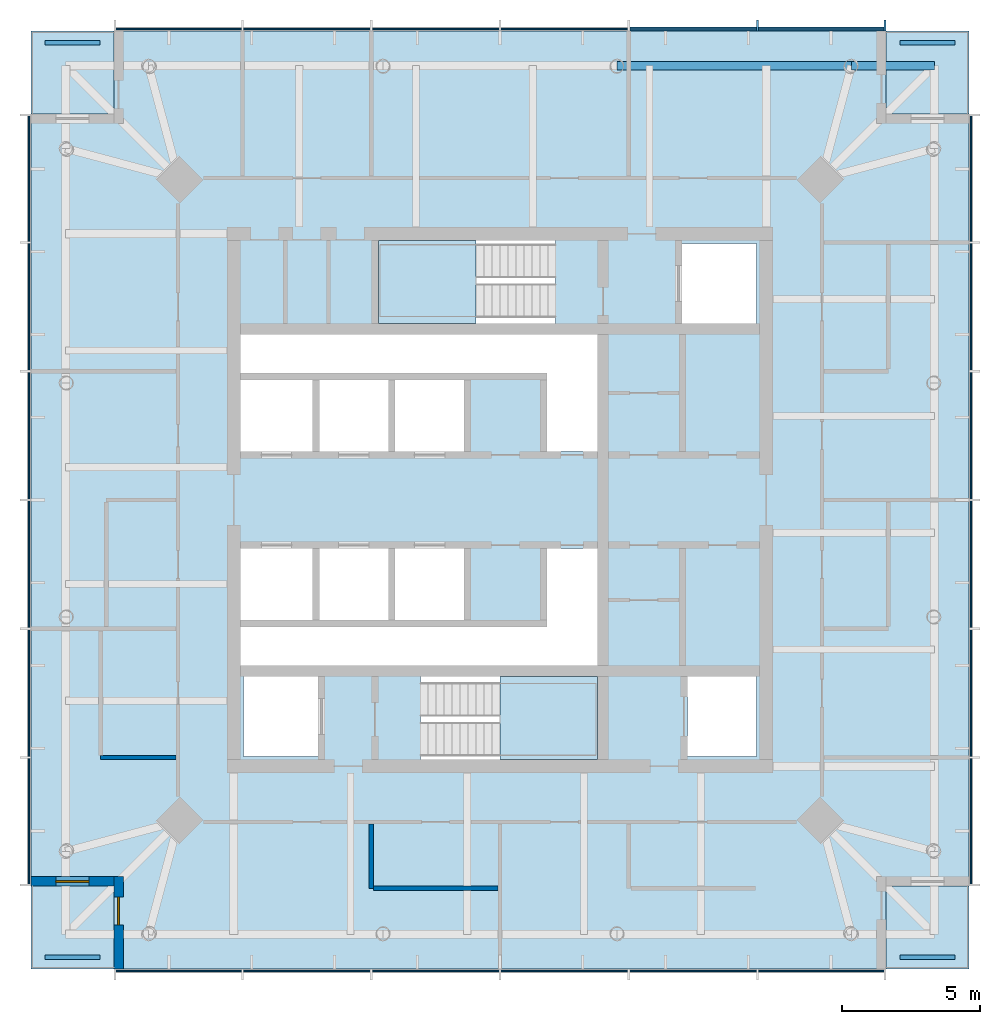
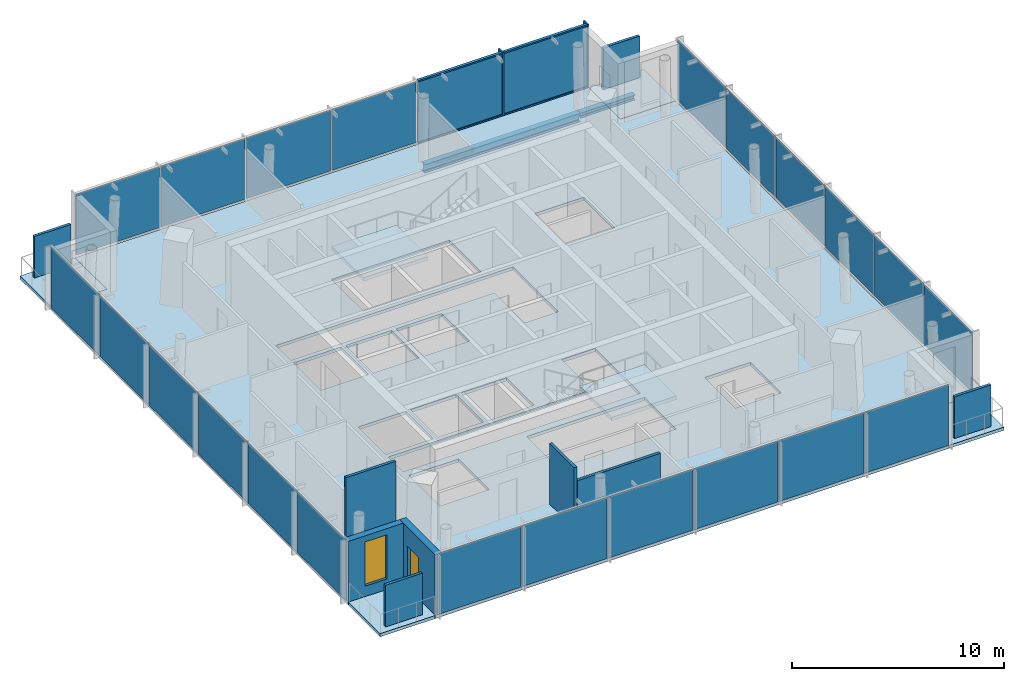
# One storey, part 3 of 7: 28 plates, 7 slabs, 6 members, 5 walls, 2 beams, 1 door, 1 window, 2 openings, 6 elements without a shape of their own.
"""IFC4 building model written with IfcOpenShell, lengths in metres."""

from ifc_helpers import new_model, si_unit, direction, frame, frame_2d, origin, origin_2d, place, context, subcontext, project, spatial, polyline, rectangle, i_section, outline, extrude, material, layer, layer_set, material_profile, profile_set, type_object, element, fill, aggregate, save


model = new_model("IFC4")

# Units and contexts
model_context = context("Model", 3, precision=1e-05, world=origin(), true_north=direction((0.0, 1.0)))
body_context = subcontext(model_context, "Body", "Model", "MODEL_VIEW")
ifc_project = project(units=[si_unit("LENGTHUNIT", "METRE"), si_unit("AREAUNIT", "SQUARE_METRE"), si_unit("VOLUMEUNIT", "CUBIC_METRE"), si_unit("PLANEANGLEUNIT", "RADIAN"), si_unit("MASSUNIT", "GRAM", prefix="KILO")], contexts=[model_context])

# Site, building, storey
site_placement = place(None, origin())
site = spatial("IfcSite", under=ifc_project, at=site_placement, CompositionType="ELEMENT")
building_placement = place(site_placement, origin())
building = spatial("IfcBuilding", under=site, at=building_placement, Name="Ostroluk Exchange", CompositionType="ELEMENT")
storey_placement = place(building_placement, frame((0.0, 0.0, 279.39990234375)))
storey = spatial("IfcBuildingStorey", under=building, at=storey_placement, Name="L72", CompositionType="ELEMENT", Elevation=279.39990234375)

# Beams
ifc_material_1 = material(Name="Steel S355", Category="steel")
ifc_material_profile_1 = material_profile(ifc_material_1, i_section(OverallWidth=0.300048828125, OverallDepth=0.300048828125, WebThickness=0.010986328125, FlangeThickness=0.01904296875, FilletRadius=0.027099609375, at=origin_2d()), Name="HEB 300")
ifc_profile_set_1 = profile_set([ifc_material_profile_1], Name="Steel S355")
beam_type_1 = type_object("IfcBeamType", Name="Balcony beam HEB 300", PredefinedType="BEAM", material=ifc_profile_set_1)
beam_1_placement = place(storey_placement, frame((57.742919921875, 61.742919921875, -0.329833984375), z_axis=(1.0, 0.0, 0.0), x_axis=(0.0, 1.0, 0.0)))
element("IfcBeam", 1, at=beam_1_placement, inside=storey, type_object=beam_type_1, Name="T1 east balcony beam b", PredefinedType="BEAM", context=body_context, shape_type="SweptSolid", body=[
    extrude(i_section(OverallWidth=0.300048828125, OverallDepth=0.300048828125, WebThickness=0.010986328125, FlangeThickness=0.01904296875, FilletRadius=0.027099609375, at=origin_2d()), origin(), (0.0, 0.0, 1.0), 3.0),
])
ifc_material_2 = material(Name="Steel S355", Category="steel")
ifc_material_profile_2 = material_profile(ifc_material_2, i_section(OverallWidth=0.300048828125, OverallDepth=0.5, WebThickness=0.014404296875, FlangeThickness=0.028076171875, FilletRadius=0.027099609375, at=origin_2d()), Name="HEB 500")
ifc_profile_set_2 = profile_set([ifc_material_profile_2], Name="Steel S355")
beam_type_2 = type_object("IfcBeamType", Name="Moment-connected edge beam HEB 500", PredefinedType="SPANDREL", material=ifc_profile_set_2)
beam_2_placement = place(storey_placement, frame((57.742919921875, 61.742919921875, -0.429931640625), z_axis=(-1.0, 0.0, 0.0), x_axis=(0.0, -1.0, 0.0)))
element("IfcBeam", 2, at=beam_2_placement, inside=storey, type_object=beam_type_2, Name="T1 north edge beam 1", PredefinedType="SPANDREL", context=body_context, shape_type="SweptSolid", body=[
    extrude(i_section(OverallWidth=0.300048828125, OverallDepth=0.5, WebThickness=0.014404296875, FlangeThickness=0.028076171875, FilletRadius=0.027099609375, at=origin_2d()), origin(), (0.0, 0.0, 1.0), 8.495361328125),
])

# Curtain wall, members
ifc_material_3 = material(Name="Laminated clear glass", Category="glass")
curtain_wall_type = type_object("IfcCurtainWallType", Name="Office tower facade", PredefinedType="USERDEFINED", material=ifc_material_3)
curtain_wall_1_placement = place(storey_placement, origin())
curtain_wall_1 = element("IfcCurtainWall", 3, at=curtain_wall_1_placement, inside=storey, type_object=curtain_wall_type, Name="Office tower north facade L72", ObjectType="UNITISED CURTAIN WALL", PredefinedType="USERDEFINED")
ifc_material_4 = material(Name="Aluminium mullion", Category="aluminium")
ifc_material_profile_3 = material_profile(ifc_material_4, rectangle(XDim=0.14990234375, YDim=0.080078125, at=origin_2d()), Name="Sill transom 80 x 150")
ifc_profile_set_3 = profile_set([ifc_material_profile_3], Name="Aluminium mullion")
member_type_1 = type_object("IfcMemberType", Name="Sill transom 80 x 150", PredefinedType="USERDEFINED", material=ifc_profile_set_3)
member_1_placement = place(storey_placement, frame((58.919921875, 63.074951171875, 0.0400390625), z_axis=(-1.0, 0.0, 0.0), x_axis=(0.0, -1.0, 0.0)))
member_1 = element("IfcMember", 4, at=member_1_placement, type_object=member_type_1, Name="CW-O1 transom 1.1", ObjectType="TRANSOM", PredefinedType="USERDEFINED", context=body_context, shape_type="SweptSolid", body=[
    extrude(rectangle(XDim=0.14990234375, YDim=0.080078125, at=origin_2d()), origin(), (0.0, 0.0, 1.0), 4.546630859375),
])
member_2_placement = place(storey_placement, frame((58.919921875, 63.074951171875, 3.610107421875), z_axis=(-1.0, 0.0, 0.0), x_axis=(0.0, -1.0, 0.0)))
member_2 = element("IfcMember", 5, at=member_2_placement, type_object=member_type_1, Name="CW-O1 transom 1.2", ObjectType="TRANSOM", PredefinedType="USERDEFINED", context=body_context, shape_type="SweptSolid", body=[
    extrude(rectangle(XDim=0.14990234375, YDim=0.080078125, at=origin_2d()), origin(), (0.0, 0.0, 1.0), 4.546630859375),
])
member_3_placement = place(storey_placement, frame((54.293212890625, 63.074951171875, 0.0400390625), z_axis=(-1.0, 0.0, 0.0), x_axis=(0.0, -1.0, 0.0)))
member_3 = element("IfcMember", 6, at=member_3_placement, type_object=member_type_1, Name="CW-O1 transom 2.1", ObjectType="TRANSOM", PredefinedType="USERDEFINED", context=body_context, shape_type="SweptSolid", body=[
    extrude(rectangle(XDim=0.14990234375, YDim=0.080078125, at=origin_2d()), origin(), (0.0, 0.0, 1.0), 4.58642578125),
])
member_4_placement = place(storey_placement, frame((54.293212890625, 63.074951171875, 3.610107421875), z_axis=(-1.0, 0.0, 0.0), x_axis=(0.0, -1.0, 0.0)))
member_4 = element("IfcMember", 7, at=member_4_placement, type_object=member_type_1, Name="CW-O1 transom 2.2", ObjectType="TRANSOM", PredefinedType="USERDEFINED", context=body_context, shape_type="SweptSolid", body=[
    extrude(rectangle(XDim=0.14990234375, YDim=0.080078125, at=origin_2d()), origin(), (0.0, 0.0, 1.0), 4.58642578125),
])
ifc_material_5 = material(Name="Aluminium mullion with limestone facing", Category="masonry")
ifc_material_profile_4 = material_profile(ifc_material_5, rectangle(XDim=0.39990234375, YDim=0.080078125, at=origin_2d()), Name="Tracery mullion 80 x 400")
ifc_profile_set_4 = profile_set([ifc_material_profile_4], Name="Aluminium mullion with limestone facing")
member_type_2 = type_object("IfcMemberType", Name="Tracery mullion 80 x 400", PredefinedType="MULLION", material=ifc_profile_set_4)
member_5_placement = place(storey_placement, frame((58.9599609375, 63.199951171875, 0.0), z_axis=(0.0, 0.0, 1.0), x_axis=(0.0, -1.0, 0.0)))
member_5 = element("IfcMember", 8, at=member_5_placement, type_object=member_type_2, Name="CW-O1 mullion 1", PredefinedType="MULLION", context=body_context, shape_type="SweptSolid", body=[
    extrude(rectangle(XDim=0.39990234375, YDim=0.080078125, at=origin_2d()), origin(), (0.0, 0.0, 1.0), 3.650146484375),
])
member_6_placement = place(storey_placement, frame((54.333251953125, 63.199951171875, 0.0), z_axis=(0.0, 0.0, 1.0), x_axis=(0.0, -1.0, 0.0)))
member_6 = element("IfcMember", 9, at=member_6_placement, type_object=member_type_2, Name="CW-O1 mullion 2", PredefinedType="MULLION", context=body_context, shape_type="SweptSolid", body=[
    extrude(rectangle(XDim=0.39990234375, YDim=0.080078125, at=origin_2d()), origin(), (0.0, 0.0, 1.0), 3.650146484375),
])

# Slabs
ifc_material_6 = material(Name="Concrete C35/45", Category="concrete")
ifc_layer_1 = layer(ifc_material_6, 0.179931640625)
ifc_layer_set_1 = layer_set([ifc_layer_1], Name="Balcony slab 180")
slab_type_1 = type_object("IfcSlabType", Name="Balcony slab 180", PredefinedType="USERDEFINED", material=ifc_layer_set_1)
slab_1_placement = place(storey_placement, frame((0.0, 0.0, -0.179931640625)))
element("IfcSlab", 10, at=slab_1_placement, inside=storey, type_object=slab_type_1, Name="Office tower SE corner balcony L72", ObjectType="BALCONY", PredefinedType="USERDEFINED", context=body_context, shape_type="SweptSolid", body=[
    extrude(outline(polyline([(59.0, 29.0), (62.0, 29.0), (62.0, 32.0), (59.0, 32.0), (59.0, 29.0)])), origin(), (0.0, 0.0, 1.0), 0.179931640625),
])
slab_2_placement = place(storey_placement, frame((0.0, 0.0, -0.179931640625)))
element("IfcSlab", 11, at=slab_2_placement, inside=storey, type_object=slab_type_1, Name="Office tower NE corner balcony L72", ObjectType="BALCONY", PredefinedType="USERDEFINED", context=body_context, shape_type="SweptSolid", body=[
    extrude(outline(polyline([(59.0, 60.0), (62.0, 60.0), (62.0, 63.0), (59.0, 63.0), (59.0, 60.0)])), origin(), (0.0, 0.0, 1.0), 0.179931640625),
])
slab_3_placement = place(storey_placement, frame((0.0, 0.0, -0.179931640625)))
element("IfcSlab", 12, at=slab_3_placement, inside=storey, type_object=slab_type_1, Name="Office tower NW corner balcony L72", ObjectType="BALCONY", PredefinedType="USERDEFINED", context=body_context, shape_type="SweptSolid", body=[
    extrude(outline(polyline([(28.0, 60.0), (31.0, 60.0), (31.0, 63.0), (28.0, 63.0), (28.0, 60.0)])), origin(), (0.0, 0.0, 1.0), 0.179931640625),
])
slab_4_placement = place(storey_placement, frame((0.0, 0.0, -0.179931640625)))
element("IfcSlab", 13, at=slab_4_placement, inside=storey, type_object=slab_type_1, Name="Office tower SW corner balcony L72", ObjectType="BALCONY", PredefinedType="USERDEFINED", context=body_context, shape_type="SweptSolid", body=[
    extrude(outline(polyline([(28.0, 29.0), (31.0, 29.0), (31.0, 32.0), (28.0, 32.0), (28.0, 29.0)])), origin(), (0.0, 0.0, 1.0), 0.179931640625),
])

# Plates
ifc_material_7 = material(Name="Steel S355 trellis with planting", Category="steel")
ifc_layer_2 = layer(ifc_material_7, 0.14990234375)
ifc_layer_set_2 = layer_set([ifc_layer_2], Name="Planted screen 150")
plate_type_1 = type_object("IfcPlateType", Name="Planted screen 150", PredefinedType="USERDEFINED", material=ifc_layer_set_2)
for number, where, z_axis, x_axis, name in (
    (14, (60.5, 29.425048828125, 0.000244140625), (0.0, 0.0, 1.0), (1.0, 0.0, 0.0), "Office tower SE planted screen L72"),
    (15, (60.5, 62.574951171875, 0.000244140625), (0.0, 0.0, 1.0), (1.0, 0.0, 0.0), "Office tower NE planted screen L72"),
    (16, (29.5, 62.574951171875, 0.000244140625), (0.0, 0.0, 1.0), (1.0, 0.0, 0.0), "Office tower NW planted screen L72"),
    (17, (29.5, 29.425048828125, 0.000244140625), (0.0, 0.0, 1.0), (1.0, 0.0, 0.0), "Office tower SW planted screen L72"),
):
    element("IfcPlate", number, at=place(storey_placement, frame(where, z_axis=z_axis, x_axis=x_axis)), inside=storey, type_object=plate_type_1, Name=name, ObjectType="PLANTED SCREEN", PredefinedType="USERDEFINED", context=body_context, shape_type="SweptSolid", body=[
        extrude(rectangle(XDim=2.0, YDim=0.14990234375, at=origin_2d()), origin(), (0.0, 0.0, 1.0), 2.39990234375),
    ])

# Stair, slab
ifc_material_8 = material(Name="Concrete C30/37", Category="concrete")
stair_type = type_object("IfcStairType", Name="Exit stair half turn 3800", PredefinedType="HALF_TURN_STAIR", material=ifc_material_8)
stair_1_placement = place(storey_placement, origin())
stair_1 = element("IfcStair", 18, at=stair_1_placement, inside=storey, type_object=stair_type, Name="Stair T1-S1 L72", PredefinedType="HALF_TURN_STAIR")
ifc_material_9 = material(Name="Concrete C30/37", Category="concrete")
ifc_layer_3 = layer(ifc_material_9, 0.199951171875)
ifc_layer_set_3 = layer_set([ifc_layer_3], Name="Stair landing 200")
slab_type_2 = type_object("IfcSlabType", Name="Stair landing 200", PredefinedType="LANDING", material=ifc_layer_set_3)
slab_5_placement = place(storey_placement, frame((0.0, 0.0, 1.7001953125)))
slab_5 = element("IfcSlab", 19, at=slab_5_placement, type_object=slab_type_2, Name="T1-S1 landing 1", PredefinedType="LANDING", context=body_context, shape_type="SweptSolid", body=[
    extrude(outline(polyline([(45.0, 36.60009765625), (45.0, 39.60009765625), (48.530029296875, 39.60009765625), (48.530029296875, 36.60009765625), (45.0, 36.60009765625)])), origin(), (0.0, 0.0, 1.0), 0.199951171875),
])
aggregate(stair_1, [slab_5])

stair_2_placement = place(storey_placement, origin())
stair_2 = element("IfcStair", 20, at=stair_2_placement, inside=storey, type_object=stair_type, Name="Stair T1-S2 L72", PredefinedType="HALF_TURN_STAIR")
slab_6_placement = place(storey_placement, frame((0.0, 0.0, 1.7001953125)))
slab_6 = element("IfcSlab", 21, at=slab_6_placement, type_object=slab_type_2, Name="T1-S2 landing 1", PredefinedType="LANDING", context=body_context, shape_type="SweptSolid", body=[
    extrude(outline(polyline([(44.1298828125, 52.39990234375), (44.1298828125, 55.39990234375), (40.60009765625, 55.39990234375), (40.60009765625, 52.39990234375), (44.1298828125, 52.39990234375)])), origin(), (0.0, 0.0, 1.0), 0.199951171875),
])
aggregate(stair_2, [slab_6])

# Slab
ifc_material_10 = material(Name="Concrete C35/45", Category="concrete")
ifc_layer_4 = layer(ifc_material_10, 0.179931640625)
ifc_layer_set_4 = layer_set([ifc_layer_4], Name="Tower floor slab 180 composite")
slab_type_3 = type_object("IfcSlabType", Name="Tower floor slab 180 composite", PredefinedType="FLOOR", material=ifc_layer_set_4)
slab_7_placement = place(storey_placement, frame((0.0, 0.0, -0.179931640625)))
element("IfcSlab", 22, at=slab_7_placement, inside=storey, type_object=slab_type_3, Name="Office tower floor slab L72", PredefinedType="FLOOR", context=body_context, shape_type="SweptSolid", body=[
    extrude(outline(polyline([(31.0, 29.0), (59.0, 29.0), (59.0, 32.0), (62.0, 32.0), (62.0, 60.0), (59.0, 60.0), (59.0, 63.0), (31.0, 63.0), (31.0, 60.0), (28.0, 60.0), (28.0, 32.0), (31.0, 32.0), (31.0, 29.0)]), holes=[polyline([(35.699951171875, 36.699951171875), (38.39990234375, 36.699951171875), (38.39990234375, 39.60009765625), (35.699951171875, 39.60009765625), (35.699951171875, 36.699951171875)]), polyline([(42.110107421875, 36.60009765625), (48.530029296875, 36.60009765625), (48.530029296875, 39.60009765625), (42.110107421875, 39.60009765625), (42.110107421875, 36.60009765625)]), polyline([(51.800048828125, 36.699951171875), (54.300048828125, 36.699951171875), (54.300048828125, 39.60009765625), (51.800048828125, 39.60009765625), (51.800048828125, 36.699951171875)]), polyline([(40.60009765625, 52.39990234375), (47.02001953125, 52.39990234375), (47.02001953125, 55.39990234375), (40.60009765625, 55.39990234375), (40.60009765625, 52.39990234375)]), polyline([(51.60009765625, 52.39990234375), (54.300048828125, 52.39990234375), (54.300048828125, 55.300048828125), (51.60009765625, 55.300048828125), (51.60009765625, 52.39990234375)]), polyline([(35.60009765625, 47.75), (38.199951171875, 47.75), (38.199951171875, 50.35009765625), (35.60009765625, 50.35009765625), (35.60009765625, 47.75)]), polyline([(38.449951171875, 47.75), (40.949951171875, 47.75), (40.949951171875, 50.35009765625), (38.449951171875, 50.35009765625), (38.449951171875, 47.75)]), polyline([(41.199951171875, 47.75), (43.699951171875, 47.75), (43.699951171875, 50.35009765625), (41.199951171875, 50.35009765625), (41.199951171875, 47.75)]), polyline([(35.60009765625, 41.64990234375), (38.199951171875, 41.64990234375), (38.199951171875, 44.25), (35.60009765625, 44.25), (35.60009765625, 41.64990234375)]), polyline([(38.449951171875, 41.64990234375), (40.949951171875, 41.64990234375), (40.949951171875, 44.25), (38.449951171875, 44.25), (38.449951171875, 41.64990234375)]), polyline([(41.199951171875, 41.64990234375), (43.699951171875, 41.64990234375), (43.699951171875, 44.25), (41.199951171875, 44.25), (41.199951171875, 41.64990234375)]), polyline([(48.530029296875, 52.0), (48.530029296875, 47.75), (46.699951171875, 47.75), (46.699951171875, 50.60009765625), (35.60009765625, 50.60009765625), (35.60009765625, 52.0), (48.530029296875, 52.0)]), polyline([(35.60009765625, 40.0), (35.60009765625, 41.39990234375), (46.699951171875, 41.39990234375), (46.699951171875, 44.25), (48.530029296875, 44.25), (48.530029296875, 40.0), (35.60009765625, 40.0)])]), origin(), (0.0, 0.0, 1.0), 0.179931640625),
])

# Curtain wall, plates
curtain_wall_2_placement = place(storey_placement, origin())
curtain_wall_2 = element("IfcCurtainWall", 23, at=curtain_wall_2_placement, inside=storey, type_object=curtain_wall_type, Name="Office tower south facade L72", ObjectType="UNITISED CURTAIN WALL", PredefinedType="USERDEFINED")
ifc_material_11 = material(Name="Laminated clear glass", Category="glass")
ifc_layer_5 = layer(ifc_material_11, 0.0439453125)
ifc_layer_set_5 = layer_set([ifc_layer_5], Name="Triple laminated clear glazing 44")
plate_type_2 = type_object("IfcPlateType", Name="Triple laminated clear glazing 44", PredefinedType="CURTAIN_PANEL", material=ifc_layer_set_5)
plate_1_placement = place(storey_placement, frame((33.353271484375, 28.925048828125, 0.080078125), z_axis=(0.0, 0.0, 1.0), x_axis=(1.0, 0.0, 0.0)))
plate_1 = element("IfcPlate", 24, at=plate_1_placement, type_object=plate_type_2, Name="CW-O1 panel 1.1", PredefinedType="CURTAIN_PANEL", context=body_context, shape_type="SweptSolid", body=[
    extrude(rectangle(XDim=4.546630859375, YDim=0.0439453125, at=origin_2d()), origin(), (0.0, 0.0, 1.0), 3.489990234375),
])
plate_2_placement = place(storey_placement, frame((38.0, 28.925048828125, 0.080078125), z_axis=(0.0, 0.0, 1.0), x_axis=(1.0, 0.0, 0.0)))
plate_2 = element("IfcPlate", 25, at=plate_2_placement, type_object=plate_type_2, Name="CW-O1 panel 2.1", PredefinedType="CURTAIN_PANEL", context=body_context, shape_type="SweptSolid", body=[
    extrude(rectangle(XDim=4.586669921875, YDim=0.0439453125, at=origin_2d()), origin(), (0.0, 0.0, 1.0), 3.489990234375),
])
plate_3_placement = place(storey_placement, frame((42.666748046875, 28.925048828125, 0.080078125), z_axis=(0.0, 0.0, 1.0), x_axis=(1.0, 0.0, 0.0)))
plate_3 = element("IfcPlate", 26, at=plate_3_placement, type_object=plate_type_2, Name="CW-O1 panel 3.1", PredefinedType="CURTAIN_PANEL", context=body_context, shape_type="SweptSolid", body=[
    extrude(rectangle(XDim=4.586669921875, YDim=0.0439453125, at=origin_2d()), origin(), (0.0, 0.0, 1.0), 3.489990234375),
])
plate_4_placement = place(storey_placement, frame((47.333251953125, 28.925048828125, 0.080078125), z_axis=(0.0, 0.0, 1.0), x_axis=(1.0, 0.0, 0.0)))
plate_4 = element("IfcPlate", 27, at=plate_4_placement, type_object=plate_type_2, Name="CW-O1 panel 4.1", PredefinedType="CURTAIN_PANEL", context=body_context, shape_type="SweptSolid", body=[
    extrude(rectangle(XDim=4.586669921875, YDim=0.0439453125, at=origin_2d()), origin(), (0.0, 0.0, 1.0), 3.489990234375),
])
plate_5_placement = place(storey_placement, frame((52.0, 28.925048828125, 0.080078125), z_axis=(0.0, 0.0, 1.0), x_axis=(1.0, 0.0, 0.0)))
plate_5 = element("IfcPlate", 28, at=plate_5_placement, type_object=plate_type_2, Name="CW-O1 panel 5.1", PredefinedType="CURTAIN_PANEL", context=body_context, shape_type="SweptSolid", body=[
    extrude(rectangle(XDim=4.586669921875, YDim=0.0439453125, at=origin_2d()), origin(), (0.0, 0.0, 1.0), 3.489990234375),
])
plate_6_placement = place(storey_placement, frame((56.646728515625, 28.925048828125, 0.080078125), z_axis=(0.0, 0.0, 1.0), x_axis=(1.0, 0.0, 0.0)))
plate_6 = element("IfcPlate", 29, at=plate_6_placement, type_object=plate_type_2, Name="CW-O1 panel 6.1", PredefinedType="CURTAIN_PANEL", context=body_context, shape_type="SweptSolid", body=[
    extrude(rectangle(XDim=4.546630859375, YDim=0.0439453125, at=origin_2d()), origin(), (0.0, 0.0, 1.0), 3.489990234375),
])
aggregate(curtain_wall_2, [plate_1, plate_2, plate_3, plate_4, plate_5, plate_6])

curtain_wall_3_placement = place(storey_placement, origin())
curtain_wall_3 = element("IfcCurtainWall", 30, at=curtain_wall_3_placement, inside=storey, type_object=curtain_wall_type, Name="Office tower east facade L72", ObjectType="UNITISED CURTAIN WALL", PredefinedType="USERDEFINED")
plate_7_placement = place(storey_placement, frame((62.074951171875, 34.353271484375, 0.080078125), z_axis=(0.0, 0.0, 1.0), x_axis=(0.0, 1.0, 0.0)))
plate_7 = element("IfcPlate", 31, at=plate_7_placement, type_object=plate_type_2, Name="CW-O1 panel 1.1", PredefinedType="CURTAIN_PANEL", context=body_context, shape_type="SweptSolid", body=[
    extrude(rectangle(XDim=4.546630859375, YDim=0.0439453125, at=origin_2d()), origin(), (0.0, 0.0, 1.0), 3.489990234375),
])
plate_8_placement = place(storey_placement, frame((62.074951171875, 39.0, 0.080078125), z_axis=(0.0, 0.0, 1.0), x_axis=(0.0, 1.0, 0.0)))
plate_8 = element("IfcPlate", 32, at=plate_8_placement, type_object=plate_type_2, Name="CW-O1 panel 2.1", PredefinedType="CURTAIN_PANEL", context=body_context, shape_type="SweptSolid", body=[
    extrude(rectangle(XDim=4.586669921875, YDim=0.0439453125, at=origin_2d()), origin(), (0.0, 0.0, 1.0), 3.489990234375),
])
plate_9_placement = place(storey_placement, frame((62.074951171875, 43.666748046875, 0.080078125), z_axis=(0.0, 0.0, 1.0), x_axis=(0.0, 1.0, 0.0)))
plate_9 = element("IfcPlate", 33, at=plate_9_placement, type_object=plate_type_2, Name="CW-O1 panel 3.1", PredefinedType="CURTAIN_PANEL", context=body_context, shape_type="SweptSolid", body=[
    extrude(rectangle(XDim=4.586669921875, YDim=0.0439453125, at=origin_2d()), origin(), (0.0, 0.0, 1.0), 3.489990234375),
])
plate_10_placement = place(storey_placement, frame((62.074951171875, 48.333251953125, 0.080078125), z_axis=(0.0, 0.0, 1.0), x_axis=(0.0, 1.0, 0.0)))
plate_10 = element("IfcPlate", 34, at=plate_10_placement, type_object=plate_type_2, Name="CW-O1 panel 4.1", PredefinedType="CURTAIN_PANEL", context=body_context, shape_type="SweptSolid", body=[
    extrude(rectangle(XDim=4.586669921875, YDim=0.0439453125, at=origin_2d()), origin(), (0.0, 0.0, 1.0), 3.489990234375),
])
plate_11_placement = place(storey_placement, frame((62.074951171875, 53.0, 0.080078125), z_axis=(0.0, 0.0, 1.0), x_axis=(0.0, 1.0, 0.0)))
plate_11 = element("IfcPlate", 35, at=plate_11_placement, type_object=plate_type_2, Name="CW-O1 panel 5.1", PredefinedType="CURTAIN_PANEL", context=body_context, shape_type="SweptSolid", body=[
    extrude(rectangle(XDim=4.586669921875, YDim=0.0439453125, at=origin_2d()), origin(), (0.0, 0.0, 1.0), 3.489990234375),
])
plate_12_placement = place(storey_placement, frame((62.074951171875, 57.646728515625, 0.080078125), z_axis=(0.0, 0.0, 1.0), x_axis=(0.0, 1.0, 0.0)))
plate_12 = element("IfcPlate", 36, at=plate_12_placement, type_object=plate_type_2, Name="CW-O1 panel 6.1", PredefinedType="CURTAIN_PANEL", context=body_context, shape_type="SweptSolid", body=[
    extrude(rectangle(XDim=4.546630859375, YDim=0.0439453125, at=origin_2d()), origin(), (0.0, 0.0, 1.0), 3.489990234375),
])
aggregate(curtain_wall_3, [plate_7, plate_8, plate_9, plate_10, plate_11, plate_12])

# Plate
plate_13_placement = place(storey_placement, frame((56.646728515625, 63.074951171875, 0.080078125), z_axis=(0.0, 0.0, 1.0), x_axis=(-1.0, 0.0, 0.0)))
plate_13 = element("IfcPlate", 37, at=plate_13_placement, type_object=plate_type_2, Name="CW-O1 panel 1.1", PredefinedType="CURTAIN_PANEL", context=body_context, shape_type="SweptSolid", body=[
    extrude(rectangle(XDim=4.546630859375, YDim=0.0439453125, at=origin_2d()), origin(), (0.0, 0.0, 1.0), 3.489990234375),
])

plate_14_placement = place(storey_placement, frame((52.0, 63.074951171875, 0.080078125), z_axis=(0.0, 0.0, 1.0), x_axis=(-1.0, 0.0, 0.0)))
plate_14 = element("IfcPlate", 38, at=plate_14_placement, type_object=plate_type_2, Name="CW-O1 panel 2.1", PredefinedType="CURTAIN_PANEL", context=body_context, shape_type="SweptSolid", body=[
    extrude(rectangle(XDim=4.586669921875, YDim=0.0439453125, at=origin_2d()), origin(), (0.0, 0.0, 1.0), 3.489990234375),
])

plate_15_placement = place(storey_placement, frame((47.333251953125, 63.074951171875, 0.080078125), z_axis=(0.0, 0.0, 1.0), x_axis=(-1.0, 0.0, 0.0)))
plate_15 = element("IfcPlate", 39, at=plate_15_placement, type_object=plate_type_2, Name="CW-O1 panel 3.1", PredefinedType="CURTAIN_PANEL", context=body_context, shape_type="SweptSolid", body=[
    extrude(rectangle(XDim=4.586669921875, YDim=0.0439453125, at=origin_2d()), origin(), (0.0, 0.0, 1.0), 3.489990234375),
])

plate_16_placement = place(storey_placement, frame((42.666748046875, 63.074951171875, 0.080078125), z_axis=(0.0, 0.0, 1.0), x_axis=(-1.0, 0.0, 0.0)))
plate_16 = element("IfcPlate", 40, at=plate_16_placement, type_object=plate_type_2, Name="CW-O1 panel 4.1", PredefinedType="CURTAIN_PANEL", context=body_context, shape_type="SweptSolid", body=[
    extrude(rectangle(XDim=4.586669921875, YDim=0.0439453125, at=origin_2d()), origin(), (0.0, 0.0, 1.0), 3.489990234375),
])

plate_17_placement = place(storey_placement, frame((38.0, 63.074951171875, 0.080078125), z_axis=(0.0, 0.0, 1.0), x_axis=(-1.0, 0.0, 0.0)))
plate_17 = element("IfcPlate", 41, at=plate_17_placement, type_object=plate_type_2, Name="CW-O1 panel 5.1", PredefinedType="CURTAIN_PANEL", context=body_context, shape_type="SweptSolid", body=[
    extrude(rectangle(XDim=4.586669921875, YDim=0.0439453125, at=origin_2d()), origin(), (0.0, 0.0, 1.0), 3.489990234375),
])

plate_18_placement = place(storey_placement, frame((33.353271484375, 63.074951171875, 0.080078125), z_axis=(0.0, 0.0, 1.0), x_axis=(-1.0, 0.0, 0.0)))
plate_18 = element("IfcPlate", 42, at=plate_18_placement, type_object=plate_type_2, Name="CW-O1 panel 6.1", PredefinedType="CURTAIN_PANEL", context=body_context, shape_type="SweptSolid", body=[
    extrude(rectangle(XDim=4.546630859375, YDim=0.0439453125, at=origin_2d()), origin(), (0.0, 0.0, 1.0), 3.489990234375),
])

aggregate(curtain_wall_1, [member_5, member_6, member_1, member_2, plate_13, member_3, member_4, plate_14, plate_15, plate_16, plate_17, plate_18])

# Curtain wall, plates
curtain_wall_4_placement = place(storey_placement, origin())
curtain_wall_4 = element("IfcCurtainWall", 43, at=curtain_wall_4_placement, inside=storey, type_object=curtain_wall_type, Name="Office tower west facade L72", ObjectType="UNITISED CURTAIN WALL", PredefinedType="USERDEFINED")
plate_19_placement = place(storey_placement, frame((27.925048828125, 57.646728515625, 0.080078125), z_axis=(0.0, 0.0, 1.0), x_axis=(0.0, -1.0, 0.0)))
plate_19 = element("IfcPlate", 44, at=plate_19_placement, type_object=plate_type_2, Name="CW-O1 panel 1.1", PredefinedType="CURTAIN_PANEL", context=body_context, shape_type="SweptSolid", body=[
    extrude(rectangle(XDim=4.546630859375, YDim=0.0439453125, at=origin_2d()), origin(), (0.0, 0.0, 1.0), 3.489990234375),
])
plate_20_placement = place(storey_placement, frame((27.925048828125, 53.0, 0.080078125), z_axis=(0.0, 0.0, 1.0), x_axis=(0.0, -1.0, 0.0)))
plate_20 = element("IfcPlate", 45, at=plate_20_placement, type_object=plate_type_2, Name="CW-O1 panel 2.1", PredefinedType="CURTAIN_PANEL", context=body_context, shape_type="SweptSolid", body=[
    extrude(rectangle(XDim=4.586669921875, YDim=0.0439453125, at=origin_2d()), origin(), (0.0, 0.0, 1.0), 3.489990234375),
])
plate_21_placement = place(storey_placement, frame((27.925048828125, 48.333251953125, 0.080078125), z_axis=(0.0, 0.0, 1.0), x_axis=(0.0, -1.0, 0.0)))
plate_21 = element("IfcPlate", 46, at=plate_21_placement, type_object=plate_type_2, Name="CW-O1 panel 3.1", PredefinedType="CURTAIN_PANEL", context=body_context, shape_type="SweptSolid", body=[
    extrude(rectangle(XDim=4.586669921875, YDim=0.0439453125, at=origin_2d()), origin(), (0.0, 0.0, 1.0), 3.489990234375),
])
plate_22_placement = place(storey_placement, frame((27.925048828125, 43.666748046875, 0.080078125), z_axis=(0.0, 0.0, 1.0), x_axis=(0.0, -1.0, 0.0)))
plate_22 = element("IfcPlate", 47, at=plate_22_placement, type_object=plate_type_2, Name="CW-O1 panel 4.1", PredefinedType="CURTAIN_PANEL", context=body_context, shape_type="SweptSolid", body=[
    extrude(rectangle(XDim=4.586669921875, YDim=0.0439453125, at=origin_2d()), origin(), (0.0, 0.0, 1.0), 3.489990234375),
])
plate_23_placement = place(storey_placement, frame((27.925048828125, 39.0, 0.080078125), z_axis=(0.0, 0.0, 1.0), x_axis=(0.0, -1.0, 0.0)))
plate_23 = element("IfcPlate", 48, at=plate_23_placement, type_object=plate_type_2, Name="CW-O1 panel 5.1", PredefinedType="CURTAIN_PANEL", context=body_context, shape_type="SweptSolid", body=[
    extrude(rectangle(XDim=4.586669921875, YDim=0.0439453125, at=origin_2d()), origin(), (0.0, 0.0, 1.0), 3.489990234375),
])
plate_24_placement = place(storey_placement, frame((27.925048828125, 34.353271484375, 0.080078125), z_axis=(0.0, 0.0, 1.0), x_axis=(0.0, -1.0, 0.0)))
plate_24 = element("IfcPlate", 49, at=plate_24_placement, type_object=plate_type_2, Name="CW-O1 panel 6.1", PredefinedType="CURTAIN_PANEL", context=body_context, shape_type="SweptSolid", body=[
    extrude(rectangle(XDim=4.546630859375, YDim=0.0439453125, at=origin_2d()), origin(), (0.0, 0.0, 1.0), 3.489990234375),
])
aggregate(curtain_wall_4, [plate_19, plate_20, plate_21, plate_22, plate_23, plate_24])

# Wall, opening, door
ifc_material_12 = material(Name="Limestone", Category="masonry")
ifc_layer_6 = layer(ifc_material_12, 0.35009765625)
ifc_layer_set_6 = layer_set([ifc_layer_6], Name="Limestone facade wall 350")
wall_type_1 = type_object("IfcWallType", Name="Limestone facade wall 350", PredefinedType="SOLIDWALL", material=ifc_layer_set_6)
wall_1_placement = place(storey_placement, frame((31.175048828125, 29.0, 0.0), z_axis=(0.0, 0.0, 1.0), x_axis=(0.0, 1.0, 0.0)))
wall_1 = element("IfcWall", 50, at=wall_1_placement, inside=storey, type_object=wall_type_1, Name="Office tower SW corner wall L72 a", PredefinedType="SOLIDWALL", context=body_context, shape_type="SweptSolid", body=[
    extrude(rectangle(XDim=3.35009765625, YDim=0.35009765625, at=frame_2d((1.675048828125, 0.0))), origin(), (0.0, 0.0, 1.0), 3.5),
])
opening_1_placement = place(wall_1_placement, frame((1.60009765625, 0.0, 0.0)))
opening_1 = element("IfcOpeningElement", 51, at=opening_1_placement, cuts=wall_1, Name="Opening D-B1", PredefinedType="OPENING", context=body_context, shape_type="SweptSolid", body=[
    extrude(rectangle(XDim=1.0, YDim=2.39990234375, at=frame_2d((0.5, 1.199951171875))), frame((0.0, 0.18505859375, 0.0), z_axis=(0.0, -1.0, 0.0), x_axis=(1.0, 0.0, 0.0)), (0.0, 0.0, 1.0), 0.3701171875),
])
ifc_material_13 = material(Name="Bronze framed glazed door", Category="aluminium")
door_type = type_object("IfcDoorType", Name="Balcony door 1000 x 2400", OperationType="SINGLE_SWING_LEFT", PredefinedType="DOOR", material=ifc_material_13)
door_placement = place(opening_1_placement, origin())
door = element("IfcDoor", 52, at=door_placement, inside=storey, type_object=door_type, Name="Office tower SW balcony door L72", OperationType="SINGLE_SWING_RIGHT", OverallHeight=2.39990234375, OverallWidth=1.0, PredefinedType="DOOR", context=body_context, shape_type="SweptSolid", body=[
    extrude(rectangle(XDim=1.0, YDim=2.39990234375, at=frame_2d((0.5, 1.199951171875))), frame((0.0, 0.02490234375, 0.0), z_axis=(0.0, -1.0, 0.0), x_axis=(1.0, 0.0, 0.0)), (0.0, 0.0, 1.0), 0.050048828125),
])
fill(opening_1, door)

# Wall, opening, window
wall_2_placement = place(storey_placement, frame((31.0, 32.175048828125, 0.0), z_axis=(0.0, 0.0, 1.0), x_axis=(-1.0, 0.0, 0.0)))
wall_2 = element("IfcWall", 53, at=wall_2_placement, inside=storey, type_object=wall_type_1, Name="Office tower SW corner wall L72 b", PredefinedType="SOLIDWALL", context=body_context, shape_type="SweptSolid", body=[
    extrude(rectangle(XDim=3.0, YDim=0.35009765625, at=frame_2d((1.5, 0.0))), origin(), (0.0, 0.0, 1.0), 3.5),
])
opening_2_placement = place(wall_2_placement, frame((0.89990234375, 0.0, 0.60009765625)))
opening_2 = element("IfcOpeningElement", 54, at=opening_2_placement, cuts=wall_2, Name="Opening WN-L1", PredefinedType="OPENING", context=body_context, shape_type="SweptSolid", body=[
    extrude(rectangle(XDim=1.199951171875, YDim=2.550048828125, at=frame_2d((0.60009765625, 1.27490234375))), frame((0.0, 0.18505859375, 0.0), z_axis=(0.0, -1.0, 0.0), x_axis=(1.0, 0.0, 0.0)), (0.0, 0.0, 1.0), 0.3701171875),
])
ifc_material_14 = material(Name="Laminated clear glass", Category="glass")
window_type = type_object("IfcWindowType", Name="Lancet window 1200 x 2550", PartitioningType="SINGLE_PANEL", PredefinedType="WINDOW", material=ifc_material_14)
window_placement = place(opening_2_placement, origin())
window = element("IfcWindow", 55, at=window_placement, inside=storey, type_object=window_type, Name="Office tower SW lancet window L72", OverallHeight=2.550048828125, OverallWidth=1.199951171875, PartitioningType="SINGLE_PANEL", PredefinedType="WINDOW", context=body_context, shape_type="SweptSolid", body=[
    extrude(rectangle(XDim=1.199951171875, YDim=2.550048828125, at=frame_2d((0.60009765625, 1.27490234375))), frame((0.0, 0.030029296875, 0.0), z_axis=(0.0, -1.0, 0.0), x_axis=(1.0, 0.0, 0.0)), (0.0, 0.0, 1.0), 0.06005859375),
])
fill(opening_2, window)

# Walls
ifc_material_15 = material(Name="Gypsum plasterboard partition", Category="gypsum")
ifc_layer_7 = layer(ifc_material_15, 0.14990234375)
ifc_layer_set_7 = layer_set([ifc_layer_7], Name="Plasterboard partition 150")
wall_type_2 = type_object("IfcWallType", Name="Plasterboard partition 150", PredefinedType="PARTITIONING", material=ifc_layer_set_7)
wall_3_placement = place(storey_placement, frame((33.25, 36.666748046875, 0.0), z_axis=(0.0, 0.0, 1.0), x_axis=(-1.0, 0.0, 0.0)))
element("IfcWall", 56, at=wall_3_placement, inside=storey, type_object=wall_type_2, Name="Partition", PredefinedType="PARTITIONING", context=body_context, shape_type="SweptSolid", body=[
    extrude(rectangle(XDim=2.72509765625, YDim=0.14990234375, at=frame_2d((1.362548828125, 0.0))), origin(), (0.0, 0.0, 1.0), 3.5),
])
wall_4_placement = place(storey_placement, frame((40.408447265625, 31.925048828125, 0.0), z_axis=(0.0, 0.0, 1.0), x_axis=(1.0, 0.0, 0.0)))
element("IfcWall", 57, at=wall_4_placement, inside=storey, type_object=wall_type_2, Name="Partition", PredefinedType="PARTITIONING", context=body_context, shape_type="SweptSolid", body=[
    extrude(rectangle(XDim=4.5166015625, YDim=0.14990234375, at=frame_2d((2.25830078125, 0.0))), origin(), (0.0, 0.0, 1.0), 2.7470703125),
])
wall_5_placement = place(storey_placement, frame((40.333251953125, 34.25, 0.0), z_axis=(0.0, 0.0, 1.0), x_axis=(0.0, -1.0, 0.0)))
element("IfcWall", 58, at=wall_5_placement, inside=storey, type_object=wall_type_2, Name="Partition", PredefinedType="PARTITIONING", context=body_context, shape_type="SweptSolid", body=[
    extrude(rectangle(XDim=2.324951171875, YDim=0.14990234375, at=frame_2d((1.16259765625, 0.0))), origin(), (0.0, 0.0, 1.0), 3.5),
])

save(model, "model.ifc")
